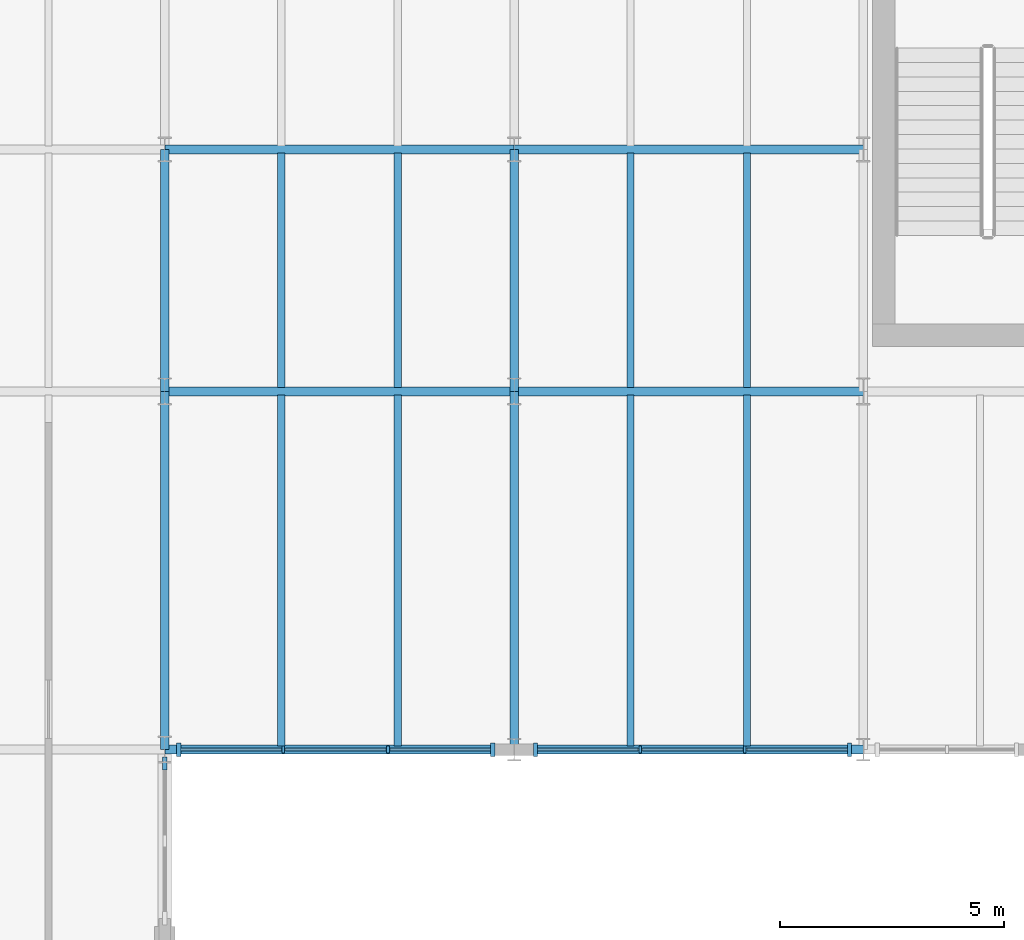
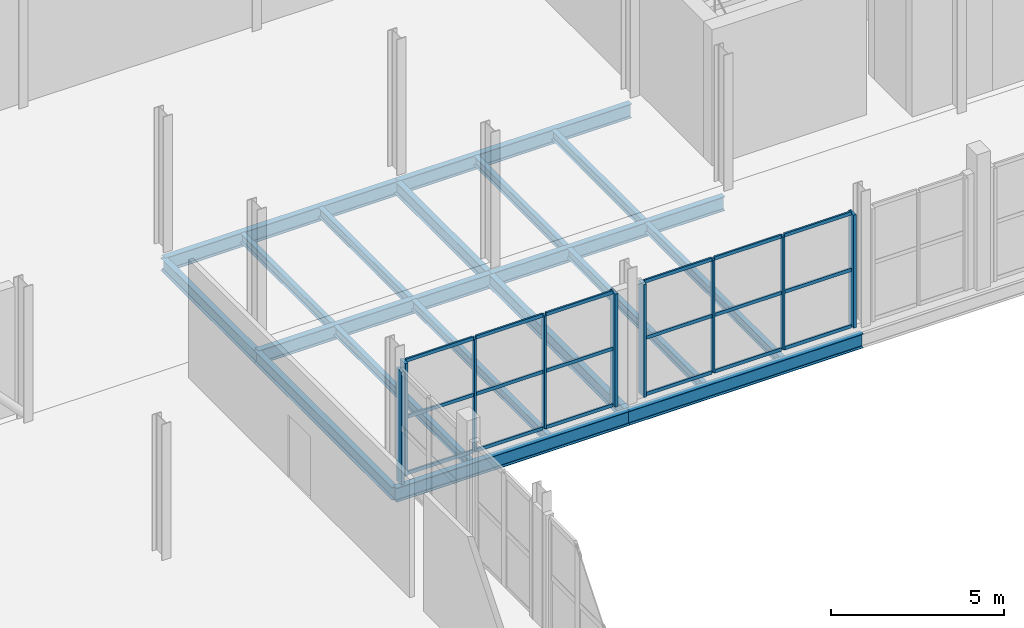
# One storey, part 25 of 63: 27 members, 18 beams, 3 elements without a shape of their own.
"""IFC4 building model written with IfcOpenShell, lengths in metres."""

from ifc_helpers import new_model, si_unit, direction, frame, origin, origin_2d, place, context, subcontext, project, spatial, rectangle, i_section, extrude, material, layer, layer_set, material_profile, profile_set, type_object, element, aggregate, save


model = new_model("IFC4")

# Units and contexts
model_context = context("Model", 3, precision=1e-05, world=origin(), true_north=direction((0.0, 1.0)))
body_context = subcontext(model_context, "Body", "Model", "MODEL_VIEW")
ifc_project = project(units=[si_unit("LENGTHUNIT", "METRE"), si_unit("AREAUNIT", "SQUARE_METRE"), si_unit("VOLUMEUNIT", "CUBIC_METRE"), si_unit("PLANEANGLEUNIT", "RADIAN"), si_unit("MASSUNIT", "GRAM", prefix="KILO")], contexts=[model_context])

# Site, building, storey
site_placement = place(None, origin())
site = spatial("IfcSite", under=ifc_project, at=site_placement, CompositionType="ELEMENT")
building_placement = place(site_placement, origin())
building = spatial("IfcBuilding", under=site, at=building_placement, Name="Sefraquen Railside Congress Hotel", CompositionType="ELEMENT")
storey_placement = place(building_placement, frame((0.0, 0.0, 11.39990234375)))
storey = spatial("IfcBuildingStorey", under=building, at=storey_placement, Name="L02", CompositionType="ELEMENT", Elevation=11.39990234375)

# Beams
ifc_material_1 = material(Name="Steel S355JR", Category="steel")
ifc_material_profile_1 = material_profile(ifc_material_1, i_section(OverallWidth=0.18994140625, OverallDepth=0.449951171875, WebThickness=0.009521484375, FlangeThickness=0.0146484375, FilletRadius=0.02099609375, at=origin_2d()), Name="IPE 450")
ifc_profile_set_1 = profile_set([ifc_material_profile_1], Name="Steel S355JR")
beam_type_1 = type_object("IfcBeamType", Name="TB-BM-450", PredefinedType="BEAM", material=ifc_profile_set_1)
beam_1_placement = place(storey_placement, frame((48.60009765625, 88.0, -0.574951171875), z_axis=(0.0, 1.0, 0.0), x_axis=(-1.0, 0.0, 0.0)))
element("IfcBeam", 1, at=beam_1_placement, inside=storey, type_object=beam_type_1, Name="Floor beam BM-L02-0885", PredefinedType="BEAM", context=body_context, shape_type="SweptSolid", body=[
    extrude(i_section(OverallWidth=0.18994140625, OverallDepth=0.449951171875, WebThickness=0.009521484375, FlangeThickness=0.0146484375, FilletRadius=0.02099609375, at=origin_2d()), origin(), (0.0, 0.0, 1.0), 8.0),
])
beam_2_placement = place(storey_placement, frame((48.60009765625, 96.0, -0.574951171875), z_axis=(0.0, 1.0, 0.0), x_axis=(-1.0, 0.0, 0.0)))
element("IfcBeam", 2, at=beam_2_placement, inside=storey, type_object=beam_type_1, Name="Floor beam BM-L02-0886", PredefinedType="BEAM", context=body_context, shape_type="SweptSolid", body=[
    extrude(i_section(OverallWidth=0.18994140625, OverallDepth=0.449951171875, WebThickness=0.009521484375, FlangeThickness=0.0146484375, FilletRadius=0.02099609375, at=origin_2d()), origin(), (0.0, 0.0, 1.0), 5.39990234375),
])
beam_3_placement = place(storey_placement, frame((56.39990234375, 88.0, -0.574951171875), z_axis=(0.0, 1.0, 0.0), x_axis=(-1.0, 0.0, 0.0)))
element("IfcBeam", 3, at=beam_3_placement, inside=storey, type_object=beam_type_1, Name="Floor beam BM-L02-0889", PredefinedType="BEAM", context=body_context, shape_type="SweptSolid", body=[
    extrude(i_section(OverallWidth=0.18994140625, OverallDepth=0.449951171875, WebThickness=0.009521484375, FlangeThickness=0.0146484375, FilletRadius=0.02099609375, at=origin_2d()), origin(), (0.0, 0.0, 1.0), 8.0),
])
beam_4_placement = place(storey_placement, frame((56.39990234375, 96.0, -0.574951171875), z_axis=(0.0, 1.0, 0.0), x_axis=(-1.0, 0.0, 0.0)))
element("IfcBeam", 4, at=beam_4_placement, inside=storey, type_object=beam_type_1, Name="Floor beam BM-L02-0890", PredefinedType="BEAM", context=body_context, shape_type="SweptSolid", body=[
    extrude(i_section(OverallWidth=0.18994140625, OverallDepth=0.449951171875, WebThickness=0.009521484375, FlangeThickness=0.0146484375, FilletRadius=0.02099609375, at=origin_2d()), origin(), (0.0, 0.0, 1.0), 5.39990234375),
])
ifc_material_profile_2 = material_profile(ifc_material_1, i_section(OverallWidth=0.199951171875, OverallDepth=0.5, WebThickness=0.01025390625, FlangeThickness=0.01611328125, FilletRadius=0.02099609375, at=origin_2d()), Name="IPE 500")
ifc_profile_set_2 = profile_set([ifc_material_profile_2], Name="Steel S355JR")
beam_type_2 = type_object("IfcBeamType", Name="TB-BM-500", PredefinedType="BEAM", material=ifc_profile_set_2)
beam_5_placement = place(storey_placement, frame((48.60009765625, 88.0, -0.599853515625), z_axis=(1.0, 0.0, 0.0), x_axis=(0.0, 1.0, 0.0)))
element("IfcBeam", 5, at=beam_5_placement, inside=storey, type_object=beam_type_2, Name="Primary girder BM-L02-0764", PredefinedType="BEAM", context=body_context, shape_type="SweptSolid", body=[
    extrude(i_section(OverallWidth=0.199951171875, OverallDepth=0.5, WebThickness=0.01025390625, FlangeThickness=0.01611328125, FilletRadius=0.02099609375, at=origin_2d()), origin(), (0.0, 0.0, 1.0), 7.7998046875),
])
beam_6_placement = place(storey_placement, frame((56.39990234375, 88.0, -0.599853515625), z_axis=(1.0, 0.0, 0.0), x_axis=(0.0, 1.0, 0.0)))
element("IfcBeam", 6, at=beam_6_placement, inside=storey, type_object=beam_type_2, Name="Primary girder BM-L02-0765", PredefinedType="BEAM", context=body_context, shape_type="SweptSolid", body=[
    extrude(i_section(OverallWidth=0.199951171875, OverallDepth=0.5, WebThickness=0.01025390625, FlangeThickness=0.01611328125, FilletRadius=0.02099609375, at=origin_2d()), origin(), (0.0, 0.0, 1.0), 7.800048828125),
])
beam_7_placement = place(storey_placement, frame((48.60009765625, 96.0, -0.599853515625), z_axis=(1.0, 0.0, 0.0), x_axis=(0.0, 1.0, 0.0)))
element("IfcBeam", 7, at=beam_7_placement, inside=storey, type_object=beam_type_2, Name="Primary girder BM-L02-0780", PredefinedType="BEAM", context=body_context, shape_type="SweptSolid", body=[
    extrude(i_section(OverallWidth=0.199951171875, OverallDepth=0.5, WebThickness=0.01025390625, FlangeThickness=0.01611328125, FilletRadius=0.02099609375, at=origin_2d()), origin(), (0.0, 0.0, 1.0), 7.7998046875),
])
beam_8_placement = place(storey_placement, frame((56.39990234375, 96.0, -0.599853515625), z_axis=(1.0, 0.0, 0.0), x_axis=(0.0, 1.0, 0.0)))
element("IfcBeam", 8, at=beam_8_placement, inside=storey, type_object=beam_type_2, Name="Primary girder BM-L02-0781", PredefinedType="BEAM", context=body_context, shape_type="SweptSolid", body=[
    extrude(i_section(OverallWidth=0.199951171875, OverallDepth=0.5, WebThickness=0.01025390625, FlangeThickness=0.01611328125, FilletRadius=0.02099609375, at=origin_2d()), origin(), (0.0, 0.0, 1.0), 7.800048828125),
])
beam_9_placement = place(storey_placement, frame((48.60009765625, 101.39990234375, -0.599853515625), z_axis=(1.0, 0.0, 0.0), x_axis=(0.0, 1.0, 0.0)))
element("IfcBeam", 9, at=beam_9_placement, inside=storey, type_object=beam_type_2, Name="Primary girder BM-L02-0799", PredefinedType="BEAM", context=body_context, shape_type="SweptSolid", body=[
    extrude(i_section(OverallWidth=0.199951171875, OverallDepth=0.5, WebThickness=0.01025390625, FlangeThickness=0.01611328125, FilletRadius=0.02099609375, at=origin_2d()), origin(), (0.0, 0.0, 1.0), 7.7998046875),
])
beam_10_placement = place(storey_placement, frame((56.39990234375, 101.39990234375, -0.599853515625), z_axis=(1.0, 0.0, 0.0), x_axis=(0.0, 1.0, 0.0)))
element("IfcBeam", 10, at=beam_10_placement, inside=storey, type_object=beam_type_2, Name="Primary girder BM-L02-0800", PredefinedType="BEAM", context=body_context, shape_type="SweptSolid", body=[
    extrude(i_section(OverallWidth=0.199951171875, OverallDepth=0.5, WebThickness=0.01025390625, FlangeThickness=0.01611328125, FilletRadius=0.02099609375, at=origin_2d()), origin(), (0.0, 0.0, 1.0), 7.800048828125),
])
ifc_material_profile_3 = material_profile(ifc_material_1, i_section(OverallWidth=0.159912109375, OverallDepth=0.330078125, WebThickness=0.007568359375, FlangeThickness=0.011474609375, FilletRadius=0.01806640625, at=origin_2d()), Name="IPE 330")
ifc_profile_set_3 = profile_set([ifc_material_profile_3], Name="Steel S355JR")
beam_type_3 = type_object("IfcBeamType", Name="TB-JST-330", PredefinedType="JOIST", material=ifc_profile_set_3)
for number, where, z_axis, x_axis, name in (
    (11, (51.199951171875, 88.080078125, -0.514892578125), (0.0, 1.0, 0.0), (-1.0, 0.0, 0.0), "Composite floor joist BM-L02-J0500"),
    (12, (53.800048828125, 88.080078125, -0.514892578125), (0.0, 1.0, 0.0), (-1.0, 0.0, 0.0), "Composite floor joist BM-L02-J0501"),
):
    element("IfcBeam", number, at=place(storey_placement, frame(where, z_axis=z_axis, x_axis=x_axis)), inside=storey, type_object=beam_type_3, Name=name, PredefinedType="JOIST", context=body_context, shape_type="SweptSolid", body=[
        extrude(i_section(OverallWidth=0.159912109375, OverallDepth=0.330078125, WebThickness=0.007568359375, FlangeThickness=0.011474609375, FilletRadius=0.01806640625, at=origin_2d()), origin(), (0.0, 0.0, 1.0), 7.83984375),
    ])
for number, where, z_axis, x_axis, name in (
    (13, (51.199951171875, 96.080078125, -0.514892578125), (0.0, 1.0, 0.0), (-1.0, 0.0, 0.0), "Composite floor joist BM-L02-J0502"),
    (14, (53.800048828125, 96.080078125, -0.514892578125), (0.0, 1.0, 0.0), (-1.0, 0.0, 0.0), "Composite floor joist BM-L02-J0503"),
):
    element("IfcBeam", number, at=place(storey_placement, frame(where, z_axis=z_axis, x_axis=x_axis)), inside=storey, type_object=beam_type_3, Name=name, PredefinedType="JOIST", context=body_context, shape_type="SweptSolid", body=[
        extrude(i_section(OverallWidth=0.159912109375, OverallDepth=0.330078125, WebThickness=0.007568359375, FlangeThickness=0.011474609375, FilletRadius=0.01806640625, at=origin_2d()), origin(), (0.0, 0.0, 1.0), 5.239990234375),
    ])
for number, where, z_axis, x_axis, name in (
    (15, (59.0, 88.080078125, -0.514892578125), (0.0, 1.0, 0.0), (-1.0, 0.0, 0.0), "Composite floor joist BM-L02-J0508"),
    (16, (61.60009765625, 88.080078125, -0.514892578125), (0.0, 1.0, 0.0), (-1.0, 0.0, 0.0), "Composite floor joist BM-L02-J0509"),
):
    element("IfcBeam", number, at=place(storey_placement, frame(where, z_axis=z_axis, x_axis=x_axis)), inside=storey, type_object=beam_type_3, Name=name, PredefinedType="JOIST", context=body_context, shape_type="SweptSolid", body=[
        extrude(i_section(OverallWidth=0.159912109375, OverallDepth=0.330078125, WebThickness=0.007568359375, FlangeThickness=0.011474609375, FilletRadius=0.01806640625, at=origin_2d()), origin(), (0.0, 0.0, 1.0), 7.83984375),
    ])
for number, where, z_axis, x_axis, name in (
    (17, (59.0, 96.080078125, -0.514892578125), (0.0, 1.0, 0.0), (-1.0, 0.0, 0.0), "Composite floor joist BM-L02-J0510"),
    (18, (61.60009765625, 96.080078125, -0.514892578125), (0.0, 1.0, 0.0), (-1.0, 0.0, 0.0), "Composite floor joist BM-L02-J0511"),
):
    element("IfcBeam", number, at=place(storey_placement, frame(where, z_axis=z_axis, x_axis=x_axis)), inside=storey, type_object=beam_type_3, Name=name, PredefinedType="JOIST", context=body_context, shape_type="SweptSolid", body=[
        extrude(i_section(OverallWidth=0.159912109375, OverallDepth=0.330078125, WebThickness=0.007568359375, FlangeThickness=0.011474609375, FilletRadius=0.01806640625, at=origin_2d()), origin(), (0.0, 0.0, 1.0), 5.239990234375),
    ])

# Curtain wall, members
ifc_material_2 = material(Name="Thermally broken anodised aluminium and low-E double glazing", Category="aluminium")
ifc_layer_1 = layer(ifc_material_2, 0.199951171875)
ifc_layer_set_1 = layer_set([ifc_layer_1], Name="Thermally broken anodised aluminium and low-E double glazing")
curtain_wall_type_1 = type_object("IfcCurtainWallType", Name="TCW-UCW-25", PredefinedType="USERDEFINED", material=ifc_layer_set_1)
curtain_wall_1_placement = place(storey_placement, origin())
curtain_wall_1 = element("IfcCurtainWall", 19, at=curtain_wall_1_placement, inside=storey, type_object=curtain_wall_type_1, Name="Courtyard north gallery curtain wall L02-1", ObjectType="UNITISED CURTAIN WALL", PredefinedType="USERDEFINED")
ifc_material_3 = material(Name="Thermally broken anodised aluminium 6063-T6", Category="aluminium")
ifc_material_profile_4 = material_profile(ifc_material_3, rectangle(XDim=0.06005859375, YDim=0.159912109375, at=origin_2d()), Name="CWM 60x160")
ifc_profile_set_4 = profile_set([ifc_material_profile_4], Name="Thermally broken anodised aluminium 6063-T6")
member_type_1 = type_object("IfcMemberType", Name="TM-CWM-01", PredefinedType="MULLION", material=ifc_profile_set_4)
member_1_placement = place(storey_placement, frame((51.24658203125, 88.0, 0.0), z_axis=(0.0, 0.0, 1.0), x_axis=(1.0, 0.0, 0.0)))
member_1 = element("IfcMember", 20, at=member_1_placement, type_object=member_type_1, Name="CW-L02-057 mullion 2", PredefinedType="MULLION", context=body_context, shape_type="SweptSolid", body=[
    extrude(rectangle(XDim=0.06005859375, YDim=0.159912109375, at=origin_2d()), origin(), (0.0, 0.0, 1.0), 3.989990234375),
])
member_2_placement = place(storey_placement, frame((53.583251953125, 88.0, 0.0), z_axis=(0.0, 0.0, 1.0), x_axis=(1.0, 0.0, 0.0)))
member_2 = element("IfcMember", 21, at=member_2_placement, type_object=member_type_1, Name="CW-L02-057 mullion 3", PredefinedType="MULLION", context=body_context, shape_type="SweptSolid", body=[
    extrude(rectangle(XDim=0.06005859375, YDim=0.159912109375, at=origin_2d()), origin(), (0.0, 0.0, 1.0), 3.989990234375),
])

curtain_wall_2_placement = place(storey_placement, origin())
curtain_wall_2 = element("IfcCurtainWall", 22, at=curtain_wall_2_placement, inside=storey, type_object=curtain_wall_type_1, Name="Courtyard north gallery curtain wall L02-1 bay 2", ObjectType="UNITISED CURTAIN WALL", PredefinedType="USERDEFINED")
member_3_placement = place(storey_placement, frame((59.216796875, 88.0, 0.0), z_axis=(0.0, 0.0, 1.0), x_axis=(1.0, 0.0, 0.0)))
member_3 = element("IfcMember", 23, at=member_3_placement, type_object=member_type_1, Name="CW-L02-057-S2 mullion 2", PredefinedType="MULLION", context=body_context, shape_type="SweptSolid", body=[
    extrude(rectangle(XDim=0.06005859375, YDim=0.159912109375, at=origin_2d()), origin(), (0.0, 0.0, 1.0), 3.989990234375),
])
member_4_placement = place(storey_placement, frame((61.55322265625, 88.0, 0.0), z_axis=(0.0, 0.0, 1.0), x_axis=(1.0, 0.0, 0.0)))
member_4 = element("IfcMember", 24, at=member_4_placement, type_object=member_type_1, Name="CW-L02-057-S2 mullion 3", PredefinedType="MULLION", context=body_context, shape_type="SweptSolid", body=[
    extrude(rectangle(XDim=0.06005859375, YDim=0.159912109375, at=origin_2d()), origin(), (0.0, 0.0, 1.0), 3.989990234375),
])

# Member
ifc_material_profile_5 = material_profile(ifc_material_3, rectangle(XDim=0.094970703125, YDim=0.300048828125, at=origin_2d()), Name="CWM 95x300")
ifc_profile_set_5 = profile_set([ifc_material_profile_5], Name="Thermally broken anodised aluminium 6063-T6")
member_type_2 = type_object("IfcMemberType", Name="TM-CWM-08", PredefinedType="MULLION", material=ifc_profile_set_5)
member_5_placement = place(storey_placement, frame((48.909912109375, 88.0, 0.0), z_axis=(0.0, 0.0, 1.0), x_axis=(1.0, 0.0, 0.0)))
member_5 = element("IfcMember", 25, at=member_5_placement, type_object=member_type_2, Name="CW-L02-057 mullion 1", PredefinedType="MULLION", context=body_context, shape_type="SweptSolid", body=[
    extrude(rectangle(XDim=0.094970703125, YDim=0.300048828125, at=origin_2d()), origin(), (0.0, 0.0, 1.0), 3.989990234375),
])

member_6_placement = place(storey_placement, frame((55.919921875, 88.0, 0.0), z_axis=(0.0, 0.0, 1.0), x_axis=(1.0, 0.0, 0.0)))
member_6 = element("IfcMember", 26, at=member_6_placement, type_object=member_type_2, Name="CW-L02-057 mullion 4", PredefinedType="MULLION", context=body_context, shape_type="SweptSolid", body=[
    extrude(rectangle(XDim=0.094970703125, YDim=0.300048828125, at=origin_2d()), origin(), (0.0, 0.0, 1.0), 3.989990234375),
])

member_7_placement = place(storey_placement, frame((56.8798828125, 88.0, 0.0), z_axis=(0.0, 0.0, 1.0), x_axis=(1.0, 0.0, 0.0)))
member_7 = element("IfcMember", 27, at=member_7_placement, type_object=member_type_2, Name="CW-L02-057-S2 mullion 1", PredefinedType="MULLION", context=body_context, shape_type="SweptSolid", body=[
    extrude(rectangle(XDim=0.094970703125, YDim=0.300048828125, at=origin_2d()), origin(), (0.0, 0.0, 1.0), 3.989990234375),
])

member_8_placement = place(storey_placement, frame((63.889892578125, 88.0, 0.0), z_axis=(0.0, 0.0, 1.0), x_axis=(1.0, 0.0, 0.0)))
member_8 = element("IfcMember", 28, at=member_8_placement, type_object=member_type_2, Name="CW-L02-057-S2 mullion 4", PredefinedType="MULLION", context=body_context, shape_type="SweptSolid", body=[
    extrude(rectangle(XDim=0.094970703125, YDim=0.300048828125, at=origin_2d()), origin(), (0.0, 0.0, 1.0), 3.989990234375),
])

# Curtain wall, member
ifc_layer_2 = layer(ifc_material_2, 0.199951171875)
ifc_layer_set_2 = layer_set([ifc_layer_2], Name="Thermally broken anodised aluminium and low-E double glazing")
curtain_wall_type_2 = type_object("IfcCurtainWallType", Name="TCW-UCW-30", PredefinedType="USERDEFINED", material=ifc_layer_set_2)
curtain_wall_3_placement = place(storey_placement, origin())
curtain_wall_3 = element("IfcCurtainWall", 29, at=curtain_wall_3_placement, inside=storey, type_object=curtain_wall_type_2, Name="Courtyard west gallery curtain wall L02 bay 4", ObjectType="UNITISED CURTAIN WALL", PredefinedType="USERDEFINED")
member_9_placement = place(storey_placement, frame((48.60009765625, 87.68994140625, 0.0), z_axis=(0.0, 0.0, 1.0), x_axis=(1.0, 0.0, 0.0)))
member_9 = element("IfcMember", 30, at=member_9_placement, type_object=member_type_2, Name="CW-L02-062-S4 mullion 3", PredefinedType="MULLION", context=body_context, shape_type="SweptSolid", body=[
    extrude(rectangle(XDim=0.094970703125, YDim=0.300048828125, at=origin_2d()), origin(), (0.0, 0.0, 1.0), 3.989990234375),
])
aggregate(curtain_wall_3, [member_9])

# Member
ifc_material_profile_6 = material_profile(ifc_material_3, rectangle(XDim=0.06005859375, YDim=0.1201171875, at=origin_2d()), Name="CWT 60x120")
ifc_profile_set_6 = profile_set([ifc_material_profile_6], Name="Thermally broken anodised aluminium 6063-T6")
member_type_3 = type_object("IfcMemberType", Name="TM-CWT-01", PredefinedType="USERDEFINED", material=ifc_profile_set_6)
member_10_placement = place(storey_placement, frame((48.955078125, 88.0, 0.0), z_axis=(1.0, 0.0, 0.0), x_axis=(0.0, 1.0, 0.0)))
member_10 = element("IfcMember", 31, at=member_10_placement, type_object=member_type_3, Name="CW-L02-057 transom 1.1", ObjectType="TRANSOM", PredefinedType="USERDEFINED", context=body_context, shape_type="SweptSolid", body=[
    extrude(rectangle(XDim=0.06005859375, YDim=0.1201171875, at=origin_2d()), origin(), (0.0, 0.0, 1.0), 2.24658203125),
])

member_11_placement = place(storey_placement, frame((51.291748046875, 88.0, 0.0), z_axis=(1.0, 0.0, 0.0), x_axis=(0.0, 1.0, 0.0)))
member_11 = element("IfcMember", 32, at=member_11_placement, type_object=member_type_3, Name="CW-L02-057 transom 1.2", ObjectType="TRANSOM", PredefinedType="USERDEFINED", context=body_context, shape_type="SweptSolid", body=[
    extrude(rectangle(XDim=0.06005859375, YDim=0.1201171875, at=origin_2d()), origin(), (0.0, 0.0, 1.0), 2.24658203125),
])

member_12_placement = place(storey_placement, frame((53.62841796875, 88.0, 0.0), z_axis=(1.0, 0.0, 0.0), x_axis=(0.0, 1.0, 0.0)))
member_12 = element("IfcMember", 33, at=member_12_placement, type_object=member_type_3, Name="CW-L02-057 transom 1.3", ObjectType="TRANSOM", PredefinedType="USERDEFINED", context=body_context, shape_type="SweptSolid", body=[
    extrude(rectangle(XDim=0.06005859375, YDim=0.1201171875, at=origin_2d()), origin(), (0.0, 0.0, 1.0), 2.24658203125),
])

member_13_placement = place(storey_placement, frame((48.955078125, 88.0, 1.9951171875), z_axis=(1.0, 0.0, 0.0), x_axis=(0.0, 1.0, 0.0)))
member_13 = element("IfcMember", 34, at=member_13_placement, type_object=member_type_3, Name="CW-L02-057 transom 2.1", ObjectType="TRANSOM", PredefinedType="USERDEFINED", context=body_context, shape_type="SweptSolid", body=[
    extrude(rectangle(XDim=0.06005859375, YDim=0.1201171875, at=origin_2d()), origin(), (0.0, 0.0, 1.0), 2.24658203125),
])

member_14_placement = place(storey_placement, frame((51.291748046875, 88.0, 1.9951171875), z_axis=(1.0, 0.0, 0.0), x_axis=(0.0, 1.0, 0.0)))
member_14 = element("IfcMember", 35, at=member_14_placement, type_object=member_type_3, Name="CW-L02-057 transom 2.2", ObjectType="TRANSOM", PredefinedType="USERDEFINED", context=body_context, shape_type="SweptSolid", body=[
    extrude(rectangle(XDim=0.06005859375, YDim=0.1201171875, at=origin_2d()), origin(), (0.0, 0.0, 1.0), 2.24658203125),
])

member_15_placement = place(storey_placement, frame((53.62841796875, 88.0, 1.9951171875), z_axis=(1.0, 0.0, 0.0), x_axis=(0.0, 1.0, 0.0)))
member_15 = element("IfcMember", 36, at=member_15_placement, type_object=member_type_3, Name="CW-L02-057 transom 2.3", ObjectType="TRANSOM", PredefinedType="USERDEFINED", context=body_context, shape_type="SweptSolid", body=[
    extrude(rectangle(XDim=0.06005859375, YDim=0.1201171875, at=origin_2d()), origin(), (0.0, 0.0, 1.0), 2.24658203125),
])

member_16_placement = place(storey_placement, frame((48.955078125, 88.0, 3.989990234375), z_axis=(1.0, 0.0, 0.0), x_axis=(0.0, 1.0, 0.0)))
member_16 = element("IfcMember", 37, at=member_16_placement, type_object=member_type_3, Name="CW-L02-057 transom 3.1", ObjectType="TRANSOM", PredefinedType="USERDEFINED", context=body_context, shape_type="SweptSolid", body=[
    extrude(rectangle(XDim=0.06005859375, YDim=0.1201171875, at=origin_2d()), origin(), (0.0, 0.0, 1.0), 2.24658203125),
])

member_17_placement = place(storey_placement, frame((51.291748046875, 88.0, 3.989990234375), z_axis=(1.0, 0.0, 0.0), x_axis=(0.0, 1.0, 0.0)))
member_17 = element("IfcMember", 38, at=member_17_placement, type_object=member_type_3, Name="CW-L02-057 transom 3.2", ObjectType="TRANSOM", PredefinedType="USERDEFINED", context=body_context, shape_type="SweptSolid", body=[
    extrude(rectangle(XDim=0.06005859375, YDim=0.1201171875, at=origin_2d()), origin(), (0.0, 0.0, 1.0), 2.24658203125),
])

member_18_placement = place(storey_placement, frame((53.62841796875, 88.0, 3.989990234375), z_axis=(1.0, 0.0, 0.0), x_axis=(0.0, 1.0, 0.0)))
member_18 = element("IfcMember", 39, at=member_18_placement, type_object=member_type_3, Name="CW-L02-057 transom 3.3", ObjectType="TRANSOM", PredefinedType="USERDEFINED", context=body_context, shape_type="SweptSolid", body=[
    extrude(rectangle(XDim=0.06005859375, YDim=0.1201171875, at=origin_2d()), origin(), (0.0, 0.0, 1.0), 2.24658203125),
])

aggregate(curtain_wall_1, [member_5, member_1, member_2, member_6, member_10, member_11, member_12, member_13, member_14, member_15, member_16, member_17, member_18])

member_19_placement = place(storey_placement, frame((56.925048828125, 88.0, 0.0), z_axis=(1.0, 0.0, 0.0), x_axis=(0.0, 1.0, 0.0)))
member_19 = element("IfcMember", 40, at=member_19_placement, type_object=member_type_3, Name="CW-L02-057-S2 transom 1.1", ObjectType="TRANSOM", PredefinedType="USERDEFINED", context=body_context, shape_type="SweptSolid", body=[
    extrude(rectangle(XDim=0.06005859375, YDim=0.1201171875, at=origin_2d()), origin(), (0.0, 0.0, 1.0), 2.24658203125),
])

member_20_placement = place(storey_placement, frame((59.26171875, 88.0, 0.0), z_axis=(1.0, 0.0, 0.0), x_axis=(0.0, 1.0, 0.0)))
member_20 = element("IfcMember", 41, at=member_20_placement, type_object=member_type_3, Name="CW-L02-057-S2 transom 1.2", ObjectType="TRANSOM", PredefinedType="USERDEFINED", context=body_context, shape_type="SweptSolid", body=[
    extrude(rectangle(XDim=0.06005859375, YDim=0.1201171875, at=origin_2d()), origin(), (0.0, 0.0, 1.0), 2.24658203125),
])

member_21_placement = place(storey_placement, frame((61.598388671875, 88.0, 0.0), z_axis=(1.0, 0.0, 0.0), x_axis=(0.0, 1.0, 0.0)))
member_21 = element("IfcMember", 42, at=member_21_placement, type_object=member_type_3, Name="CW-L02-057-S2 transom 1.3", ObjectType="TRANSOM", PredefinedType="USERDEFINED", context=body_context, shape_type="SweptSolid", body=[
    extrude(rectangle(XDim=0.06005859375, YDim=0.1201171875, at=origin_2d()), origin(), (0.0, 0.0, 1.0), 2.24658203125),
])

member_22_placement = place(storey_placement, frame((56.925048828125, 88.0, 1.9951171875), z_axis=(1.0, 0.0, 0.0), x_axis=(0.0, 1.0, 0.0)))
member_22 = element("IfcMember", 43, at=member_22_placement, type_object=member_type_3, Name="CW-L02-057-S2 transom 2.1", ObjectType="TRANSOM", PredefinedType="USERDEFINED", context=body_context, shape_type="SweptSolid", body=[
    extrude(rectangle(XDim=0.06005859375, YDim=0.1201171875, at=origin_2d()), origin(), (0.0, 0.0, 1.0), 2.24658203125),
])

member_23_placement = place(storey_placement, frame((59.26171875, 88.0, 1.9951171875), z_axis=(1.0, 0.0, 0.0), x_axis=(0.0, 1.0, 0.0)))
member_23 = element("IfcMember", 44, at=member_23_placement, type_object=member_type_3, Name="CW-L02-057-S2 transom 2.2", ObjectType="TRANSOM", PredefinedType="USERDEFINED", context=body_context, shape_type="SweptSolid", body=[
    extrude(rectangle(XDim=0.06005859375, YDim=0.1201171875, at=origin_2d()), origin(), (0.0, 0.0, 1.0), 2.24658203125),
])

member_24_placement = place(storey_placement, frame((61.598388671875, 88.0, 1.9951171875), z_axis=(1.0, 0.0, 0.0), x_axis=(0.0, 1.0, 0.0)))
member_24 = element("IfcMember", 45, at=member_24_placement, type_object=member_type_3, Name="CW-L02-057-S2 transom 2.3", ObjectType="TRANSOM", PredefinedType="USERDEFINED", context=body_context, shape_type="SweptSolid", body=[
    extrude(rectangle(XDim=0.06005859375, YDim=0.1201171875, at=origin_2d()), origin(), (0.0, 0.0, 1.0), 2.24658203125),
])

member_25_placement = place(storey_placement, frame((56.925048828125, 88.0, 3.989990234375), z_axis=(1.0, 0.0, 0.0), x_axis=(0.0, 1.0, 0.0)))
member_25 = element("IfcMember", 46, at=member_25_placement, type_object=member_type_3, Name="CW-L02-057-S2 transom 3.1", ObjectType="TRANSOM", PredefinedType="USERDEFINED", context=body_context, shape_type="SweptSolid", body=[
    extrude(rectangle(XDim=0.06005859375, YDim=0.1201171875, at=origin_2d()), origin(), (0.0, 0.0, 1.0), 2.24658203125),
])

member_26_placement = place(storey_placement, frame((59.26171875, 88.0, 3.989990234375), z_axis=(1.0, 0.0, 0.0), x_axis=(0.0, 1.0, 0.0)))
member_26 = element("IfcMember", 47, at=member_26_placement, type_object=member_type_3, Name="CW-L02-057-S2 transom 3.2", ObjectType="TRANSOM", PredefinedType="USERDEFINED", context=body_context, shape_type="SweptSolid", body=[
    extrude(rectangle(XDim=0.06005859375, YDim=0.1201171875, at=origin_2d()), origin(), (0.0, 0.0, 1.0), 2.24658203125),
])

member_27_placement = place(storey_placement, frame((61.598388671875, 88.0, 3.989990234375), z_axis=(1.0, 0.0, 0.0), x_axis=(0.0, 1.0, 0.0)))
member_27 = element("IfcMember", 48, at=member_27_placement, type_object=member_type_3, Name="CW-L02-057-S2 transom 3.3", ObjectType="TRANSOM", PredefinedType="USERDEFINED", context=body_context, shape_type="SweptSolid", body=[
    extrude(rectangle(XDim=0.06005859375, YDim=0.1201171875, at=origin_2d()), origin(), (0.0, 0.0, 1.0), 2.24658203125),
])

aggregate(curtain_wall_2, [member_7, member_3, member_4, member_8, member_19, member_20, member_21, member_22, member_23, member_24, member_25, member_26, member_27])

save(model, "model.ifc")
